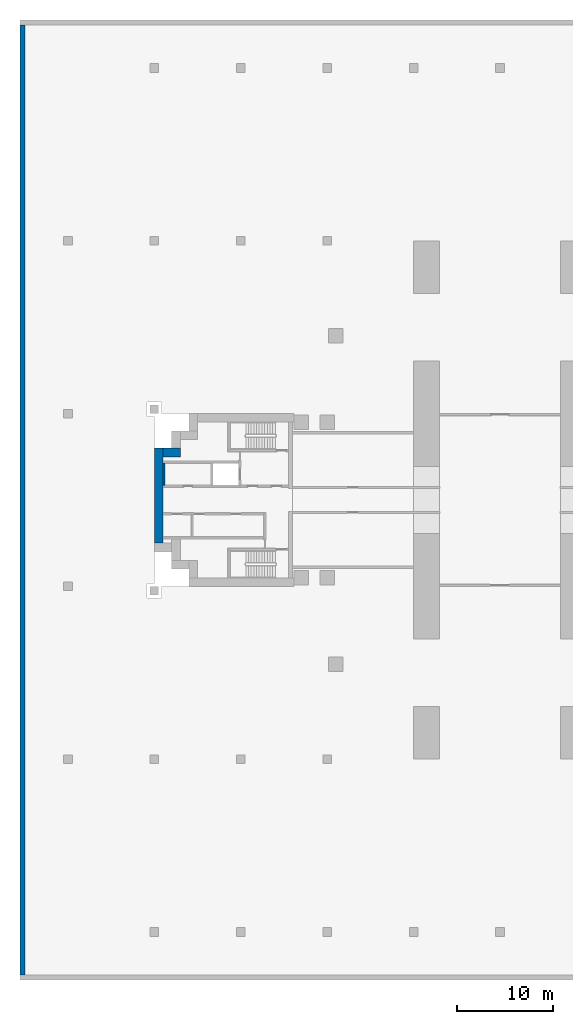
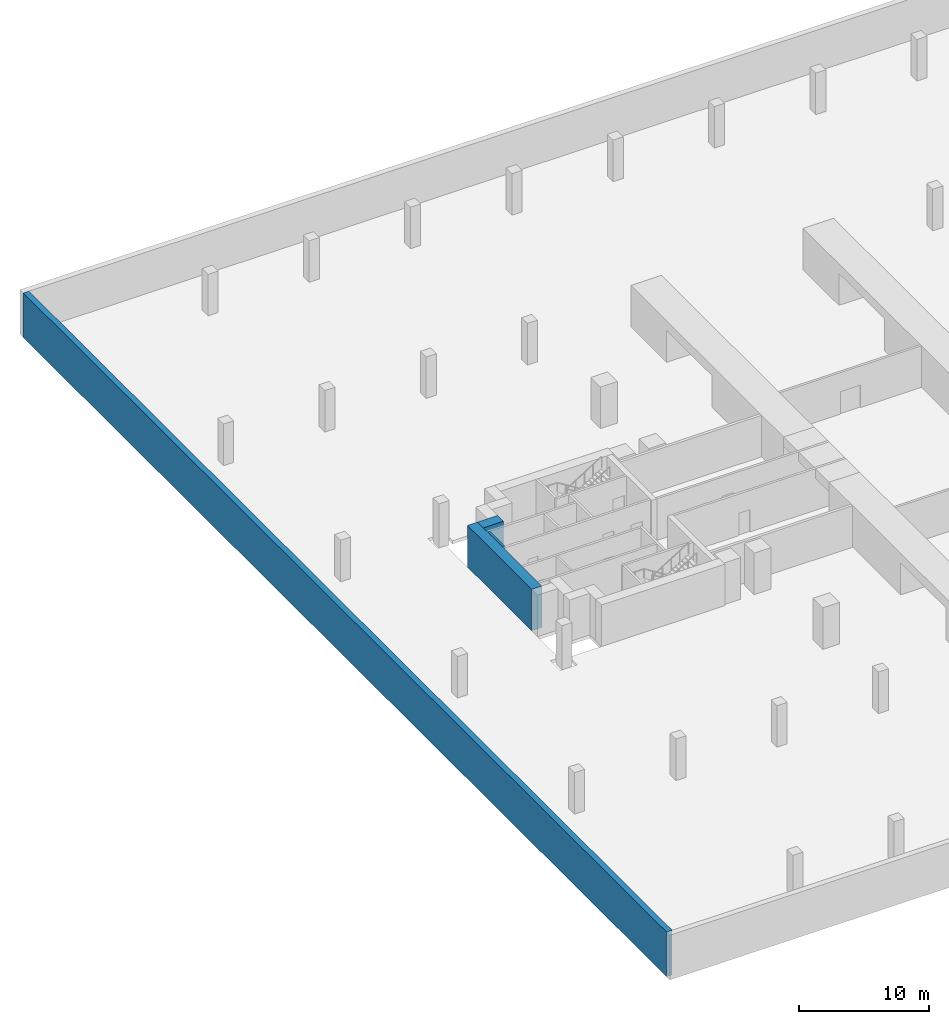
# One storey, part 3 of 8: 4 walls.
"""IFC4 building model written with IfcOpenShell, lengths in metres."""

import ifcopenshell
import ifcopenshell.guid

model = None  # the IFC model being written
_history = None  # IfcOwnerHistory: only IFC2X3 demands one
_inside = {}  # id of a spatial element -> (the spatial element, [elements in it])
_under = {}  # id of a project, library or spatial element -> (it, [spatial elements below it])
_declared = {}  # id of a project -> (the project, [libraries it declares])
_typed = {}  # id of a type object -> (the type object, [elements of that type])
_made_of = {}  # id of a material, layer set ... -> (it, [elements and type objects made of it])


def new_model(schema):
    """Start an empty IFC model of exactly this schema.

    Asked for "IFC4X3", IfcOpenShell would pick the latest addendum, in which some entities
    have other attributes; the version numbers below select the first issue.
    IFC2X3 requires an IfcOwnerHistory on every rooted entity: one is made here for all.
    """
    global model, _history
    if schema == "IFC4X3":
        model = ifcopenshell.file(schema_version=(4, 3, 0, 0))
    else:
        model = ifcopenshell.file(schema=schema)
    _inside.clear()
    _under.clear()
    _declared.clear()
    _typed.clear()
    _made_of.clear()
    _history = None
    if model.schema == "IFC2X3":
        org = make("IfcOrganization", Name="unknown")
        user = make(
            "IfcPersonAndOrganization",
            ThePerson=make("IfcPerson", FamilyName="unknown"),
            TheOrganization=org,
        )
        app = make(
            "IfcApplication",
            ApplicationDeveloper=org,
            Version="unknown",
            ApplicationFullName="unknown",
            ApplicationIdentifier="unknown",
        )
        _history = make(
            "IfcOwnerHistory",
            OwningUser=user,
            OwningApplication=app,
            ChangeAction="ADDED",
            CreationDate=0,
        )
    return model


def make(cls, **values):
    """One entity of the class cls with the attributes given. An attribute that is None is left unset."""
    return model.create_entity(
        cls, **{name: value for name, value in values.items() if value is not None}
    )


def rooted(cls, **values):
    """An entity with a GlobalId (a new one), such as an element, a storey or a relation."""
    return make(cls, GlobalId=ifcopenshell.guid.new(), OwnerHistory=_history, **values)


def si_unit(unit_type, name, prefix=None):
    """IfcSIUnit, for example si_unit("LENGTHUNIT", "METRE", prefix="MILLI")."""
    return make("IfcSIUnit", UnitType=unit_type, Prefix=prefix, Name=name)


def assignment(units):
    """IfcUnitAssignment: the units of a project."""
    return None if units is None else make("IfcUnitAssignment", Units=units)


def point(xyz):
    """IfcCartesianPoint."""
    return None if xyz is None else make("IfcCartesianPoint", Coordinates=xyz)


def direction(xyz):
    """IfcDirection."""
    return None if xyz is None else make("IfcDirection", DirectionRatios=xyz)


def frame(location, z_axis=None, x_axis=None):
    """IfcAxis2Placement3D, a coordinate frame: its origin and axes. An axis left out is left unset."""
    return make(
        "IfcAxis2Placement3D",
        Location=point(location),
        Axis=direction(z_axis),
        RefDirection=direction(x_axis),
    )


def frame_2d(location, x_axis=None):
    """IfcAxis2Placement2D, a coordinate frame in the plane: its origin and x axis."""
    return make(
        "IfcAxis2Placement2D", Location=point(location), RefDirection=direction(x_axis)
    )


def origin():
    """The frame at (0, 0, 0) with its axes left unset."""
    return frame((0.0, 0.0, 0.0))


def place(relative_to, where):
    """IfcLocalPlacement: puts the frame where relative to a parent placement (None: the world)."""
    return make(
        "IfcLocalPlacement", PlacementRelTo=relative_to, RelativePlacement=where
    )


def context(
    kind, dimensions, precision=None, world=None, true_north=None, identifier=None
):
    """IfcGeometricRepresentationContext, for example the 3D "Model" context."""
    return make(
        "IfcGeometricRepresentationContext",
        ContextIdentifier=identifier,
        ContextType=kind,
        CoordinateSpaceDimension=dimensions,
        Precision=precision,
        WorldCoordinateSystem=world,
        TrueNorth=true_north,
    )


def subcontext(parent, identifier, kind, view, scale=None):
    """IfcGeometricRepresentationSubContext, for example "Body" below "Model"."""
    return make(
        "IfcGeometricRepresentationSubContext",
        ContextIdentifier=identifier,
        ContextType=kind,
        ParentContext=parent,
        TargetScale=scale,
        TargetView=view,
    )


def project(units=None, contexts=None):
    """IfcProject with its units and contexts."""
    return rooted(
        "IfcProject",
        Name="project",
        RepresentationContexts=contexts,
        UnitsInContext=assignment(units),
    )


def spatial(cls, under=None, at=None, **own):
    """A site, building, storey or space (cls), placed at a placement, below another one or the project."""
    s = rooted(cls, ObjectPlacement=at, **own)
    if under is not None:
        _under.setdefault(under.id(), (under, []))[1].append(s)
    return s


def profile(cls, at=None, kind="AREA", **sizes):
    """A parametric profile (cls). Its sizes go by their IFC names, for example OverallWidth=200.0."""
    return make(cls, ProfileType=kind, Position=at, **sizes)


def rectangle(**sizes):
    """IfcRectangleProfileDef."""
    return profile("IfcRectangleProfileDef", **sizes)


def extrude(swept, where, along, depth):
    """IfcExtrudedAreaSolid: the profile swept, set in the frame where, extruded along a direction by depth."""
    return make(
        "IfcExtrudedAreaSolid",
        SweptArea=swept,
        Position=where,
        ExtrudedDirection=direction(along),
        Depth=depth,
    )


def shape(context_of_items, identifier, shape_type, items):
    """IfcShapeRepresentation: the items that make up one representation, for example the "Body"."""
    return make(
        "IfcShapeRepresentation",
        ContextOfItems=context_of_items,
        RepresentationIdentifier=identifier,
        RepresentationType=shape_type,
        Items=items,
    )


def material(Name=None, Category=None):
    """IfcMaterial."""
    return make("IfcMaterial", Name=Name, Category=Category)


def layer(
    of_material, thickness, ventilated=None, Name=None, Category=None, Priority=None
):
    """IfcMaterialLayer: one layer of a wall or slab, of a material (None: an air gap)."""
    return make(
        "IfcMaterialLayer",
        Material=of_material,
        LayerThickness=thickness,
        IsVentilated=ventilated,
        Name=Name,
        Category=Category,
        Priority=Priority,
    )


def layer_set(layers, Name=None):
    """IfcMaterialLayerSet."""
    return make("IfcMaterialLayerSet", MaterialLayers=layers, LayerSetName=Name)


def made_of(thing, what):
    """Note that an element or type object is made of a material, layer set ...; save() writes the relation."""
    if what is not None:
        _made_of.setdefault(what.id(), (what, []))[1].append(thing)
    return thing


def type_object(cls, material=None, **own):
    """A type object (cls), such as IfcWallType, which elements share."""
    return made_of(rooted(cls, **own), material)


def element(
    cls,
    number,
    at=None,
    inside=None,
    cuts=None,
    type_object=None,
    material=None,
    context=None,
    identifier="Body",
    shape_type=None,
    held_by="IfcProductDefinitionShape",
    body=None,
    shapes=None,
    **own,
):
    """One element of the class cls, such as IfcWall. Its Tag is "e" and its number.

    at: its placement. inside: the storey or other place that contains it. cuts: it is an
    opening in that element (IfcRelVoidsElement). A single representation is given by context,
    identifier, shape_type and body (its items); several are given by shapes. held_by: the class
    of the entity that holds the representations. save() writes the other relations.
    """
    e = rooted(cls, Tag="e%d" % number, ObjectPlacement=at, **own)
    if body is not None:
        shapes = [shape(context, identifier, shape_type, body)]
    if shapes is not None:
        e.Representation = make(held_by, Representations=shapes)
    if inside is not None:
        _inside.setdefault(inside.id(), (inside, []))[1].append(e)
    if cuts is not None:
        rooted(
            "IfcRelVoidsElement", RelatingBuildingElement=cuts, RelatedOpeningElement=e
        )
    if type_object is not None:
        _typed.setdefault(type_object.id(), (type_object, []))[1].append(e)
    return made_of(e, material)


def aggregate(whole, parts):
    """IfcRelAggregates: a whole, such as a stair, and the parts it consists of."""
    return rooted("IfcRelAggregates", RelatingObject=whole, RelatedObjects=parts)


def save(model, path):
    """Write the relations noted so far, then the file.

    IfcRelAggregates (storeys below a building ...), IfcRelContainedInSpatialStructure (elements
    in a storey), IfcRelDefinesByType, IfcRelAssociatesMaterial and IfcRelDeclares: one each for
    every whole, place, type object, material and project.
    """
    for whole, parts in _under.values():
        aggregate(whole, parts)
    for where, things in _inside.values():
        rooted(
            "IfcRelContainedInSpatialStructure",
            RelatedElements=things,
            RelatingStructure=where,
        )
    for kind, things in _typed.values():
        rooted("IfcRelDefinesByType", RelatedObjects=things, RelatingType=kind)
    for what, things in _made_of.values():
        rooted("IfcRelAssociatesMaterial", RelatedObjects=things, RelatingMaterial=what)
    for by, libraries in _declared.values():
        rooted("IfcRelDeclares", RelatingContext=by, RelatedDefinitions=libraries)
    model.write(path)


model = new_model("IFC4")

# Units and contexts
model_context = context("Model", 3, precision=1e-05, world=origin(), true_north=direction((0.0, 1.0)))
body_context = subcontext(model_context, "Body", "Model", "MODEL_VIEW")
ifc_project = project(units=[si_unit("LENGTHUNIT", "METRE"), si_unit("AREAUNIT", "SQUARE_METRE"), si_unit("VOLUMEUNIT", "CUBIC_METRE"), si_unit("PLANEANGLEUNIT", "RADIAN"), si_unit("MASSUNIT", "GRAM", prefix="KILO")], contexts=[model_context])

# Site, building, storey
site_placement = place(None, origin())
site = spatial("IfcSite", under=ifc_project, at=site_placement, CompositionType="ELEMENT")
building_placement = place(site_placement, origin())
building = spatial("IfcBuilding", under=site, at=building_placement, Name="Perihelion Cross Residences", CompositionType="ELEMENT")
storey_placement = place(building_placement, frame((0.0, 0.0, -8.699951171875)))
storey = spatial("IfcBuildingStorey", under=building, at=storey_placement, Name="B2", CompositionType="ELEMENT", Elevation=-8.699951171875)

# Walls
ifc_material_1 = material(Name="Concrete C40/50", Category="concrete")
ifc_layer_1 = layer(ifc_material_1, 0.5)
ifc_layer_set_1 = layer_set([ifc_layer_1], Name="Basement retaining wall 500 concrete C40/50")
wall_type_1 = type_object("IfcWallType", Name="Basement retaining wall 500 concrete C40/50", PredefinedType="SOLIDWALL", material=ifc_layer_set_1)
wall_1_placement = place(storey_placement, frame((-49.75, -49.5, -0.300048828125), z_axis=(0.0, 0.0, 1.0), x_axis=(0.0, 1.0, 0.0)))
element("IfcWall", 1, at=wall_1_placement, inside=storey, type_object=wall_type_1, Name="Wall SW1 B2 retaining west", PredefinedType="SOLIDWALL", context=body_context, shape_type="SweptSolid", body=[
    extrude(rectangle(XDim=99.0, YDim=0.5, at=frame_2d((49.5, 0.0))), origin(), (0.0, 0.0, 1.0), 4.199951171875),
])
ifc_material_2 = material(Name="Concrete C60/75", Category="concrete")
ifc_layer_2 = layer(ifc_material_2, 0.89990234375)
ifc_layer_set_2 = layer_set([ifc_layer_2], Name="Core wall, outer 900")
wall_type_2 = type_object("IfcWallType", Name="Core wall, outer 900", PredefinedType="SHEAR", material=ifc_layer_set_2)
wall_2_placement = place(storey_placement, frame((-35.550048828125, -4.5, 0.0), z_axis=(0.0, 0.0, 1.0), x_axis=(0.0, 1.0, 0.0)))
element("IfcWall", 2, at=wall_2_placement, inside=storey, type_object=wall_type_2, Name="West core core wall, outer", PredefinedType="SHEAR", context=body_context, shape_type="SweptSolid", body=[
    extrude(rectangle(XDim=9.89990234375, YDim=0.89990234375, at=frame_2d((4.949951171875, 0.0))), origin(), (0.0, 0.0, 1.0), 3.89990234375),
])
wall_3_placement = place(storey_placement, frame((-35.10009765625, 4.949951171875, 0.0), z_axis=(0.0, 0.0, 1.0), x_axis=(1.0, 0.0, 0.0)))
element("IfcWall", 3, at=wall_3_placement, inside=storey, type_object=wall_type_2, Name="West core core wall, outer", PredefinedType="SHEAR", context=body_context, shape_type="SweptSolid", body=[
    extrude(rectangle(XDim=1.800048828125, YDim=0.89990234375, at=frame_2d((0.89990234375, 0.0))), origin(), (0.0, 0.0, 1.0), 3.89990234375),
])
ifc_material_3 = material(Name="Concrete C50/60", Category="concrete")
ifc_layer_3 = layer(ifc_material_3, 0.199951171875)
ifc_layer_set_3 = layer_set([ifc_layer_3], Name="Shaft wall 200")
wall_type_3 = type_object("IfcWallType", Name="Shaft wall 200", PredefinedType="SOLIDWALL", material=ifc_layer_set_3)
wall_4_placement = place(storey_placement, frame((-35.0, 1.550048828125, 0.0), z_axis=(0.0, 0.0, 1.0), x_axis=(0.0, 1.0, 0.0)))
element("IfcWall", 4, at=wall_4_placement, inside=storey, type_object=wall_type_3, Name="West core shaft wall", PredefinedType="SOLIDWALL", context=body_context, shape_type="SweptSolid", body=[
    extrude(rectangle(XDim=2.300048828125, YDim=0.199951171875, at=frame_2d((1.14990234375, 0.0))), origin(), (0.0, 0.0, 1.0), 3.89990234375),
])

save(model, "model.ifc")
